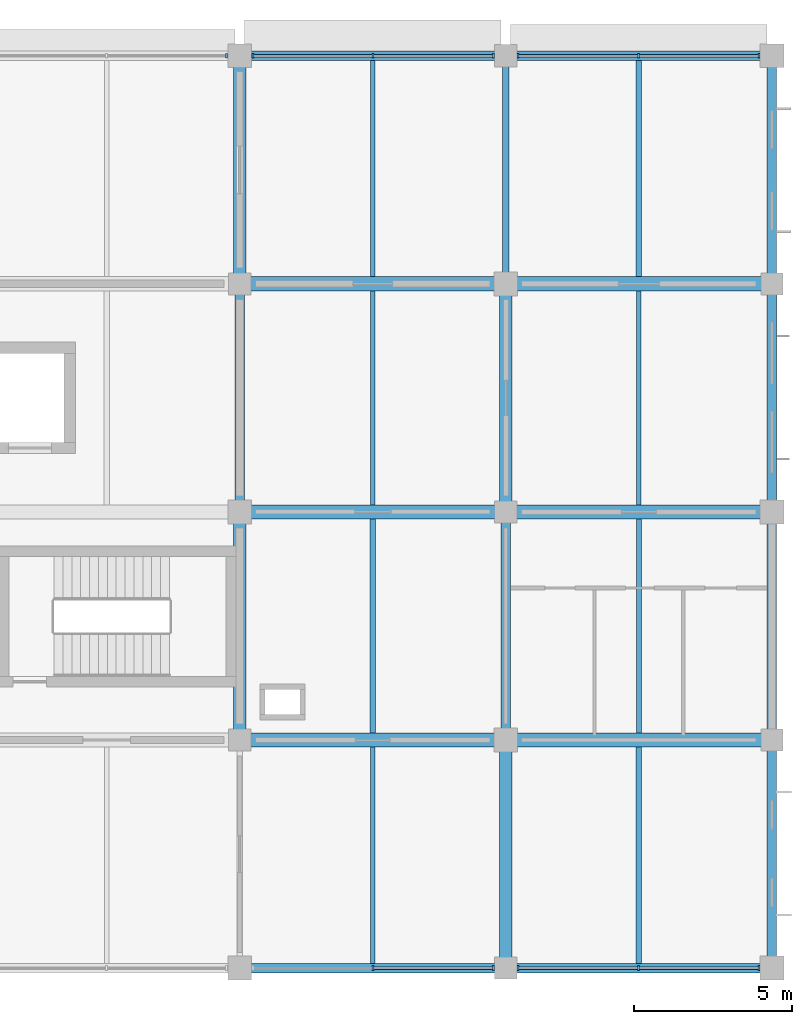
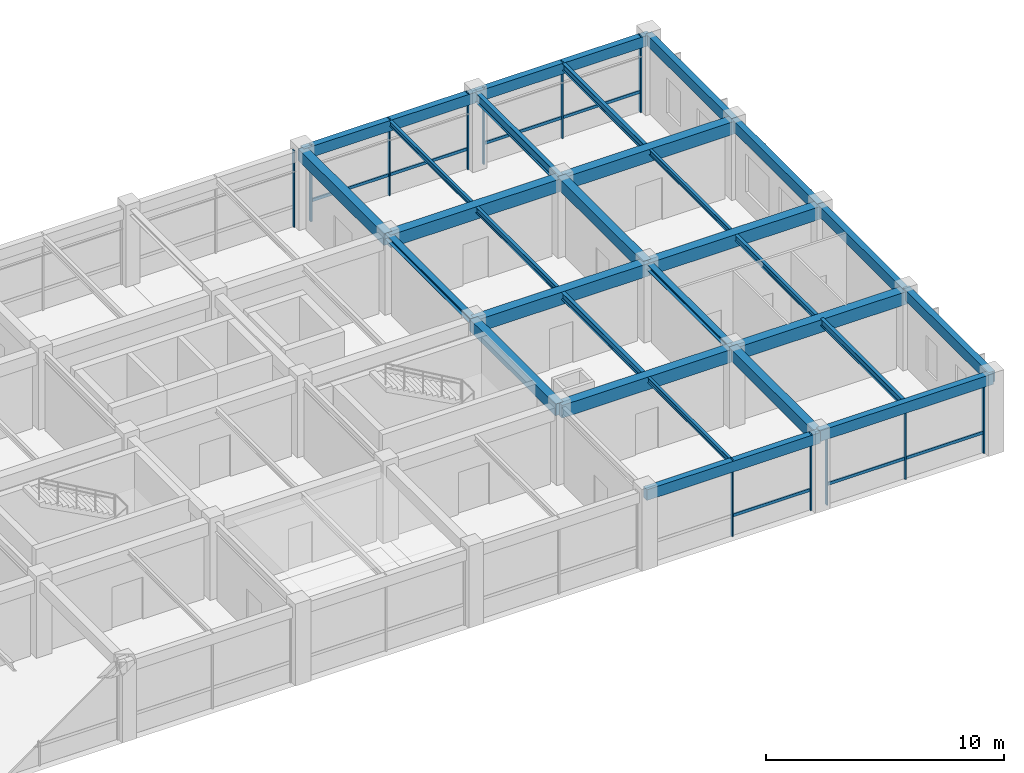
# One storey, part 6 of 13: 29 beams, 19 members, 5 elements without a shape of their own.
"""IFC4 building model written with IfcOpenShell, lengths in metres."""

from ifc_helpers import new_model, si_unit, derived_unit, direction, frame, origin, origin_2d, place, context, subcontext, project, spatial, rectangle, i_section, extrude, material, material_profile, profile_set, type_object, element, aggregate, save


model = new_model("IFC4")

# Units and contexts
model_context = context("Model", 3, precision=1e-05, world=origin(), true_north=direction((0.0, 1.0)))
body_context = subcontext(model_context, "Body", "Model", "MODEL_VIEW")
ifc_project = project(units=[si_unit("LENGTHUNIT", "METRE"), si_unit("AREAUNIT", "SQUARE_METRE"), si_unit("VOLUMEUNIT", "CUBIC_METRE"), si_unit("PLANEANGLEUNIT", "RADIAN"), si_unit("MASSUNIT", "GRAM", prefix="KILO"), derived_unit("THERMALTRANSMITTANCEUNIT", [(si_unit("MASSUNIT", "GRAM", prefix="KILO"), 1), (si_unit("TIMEUNIT", "SECOND"), -3), (si_unit("THERMODYNAMICTEMPERATUREUNIT", "KELVIN"), -1)])], contexts=[model_context])

# Site, building, storey
site_placement = place(None, origin())
site = spatial("IfcSite", under=ifc_project, at=site_placement, CompositionType="ELEMENT")
building_placement = place(site_placement, origin())
building = spatial("IfcBuilding", under=site, at=building_placement, Name="Veldstrom Oceanarium and Marine Research Institute", CompositionType="ELEMENT")
storey_placement = place(building_placement, frame((0.0, 0.0, 31.199951171875)))
storey = spatial("IfcBuildingStorey", under=building, at=storey_placement, Name="L06", CompositionType="ELEMENT", Elevation=31.199951171875)

# Curtain wall, member
ifc_material_1 = material(Name="Anodised Aluminium Framing", Category="aluminium")
curtain_wall_type = type_object("IfcCurtainWallType", Name="ARC-CW-CW04", PredefinedType="USERDEFINED", material=ifc_material_1)
curtain_wall_1_placement = place(storey_placement, origin())
curtain_wall_1 = element("IfcCurtainWall", 1, at=curtain_wall_1_placement, inside=storey, type_object=curtain_wall_type, Name="Curtain Wall CW04 CW-L06-107", ObjectType="Curtain wall", PredefinedType="USERDEFINED")
ifc_material_2 = material(Name="Anodised Aluminium Framing", Category="aluminium")
ifc_material_profile_1 = material_profile(ifc_material_2, rectangle(XDim=0.06494140625, YDim=0.14990234375, at=origin_2d()), Name="ALU-MUL-65x150")
ifc_profile_set_1 = profile_set([ifc_material_profile_1], Name="Anodised Aluminium Framing")
member_type_1 = type_object("IfcMemberType", Name="ARC-MUL-ML2", PredefinedType="MULLION", material=ifc_profile_set_1)
member_1_placement = place(storey_placement, frame((100.385009765625, 72.0, 0.0), z_axis=(0.0, 0.0, 1.0), x_axis=(1.0, 0.0, 0.0)))
member_1 = element("IfcMember", 2, at=member_1_placement, type_object=member_type_1, Name="Curtain Wall Mullion CW-L06-107-MUL-3", PredefinedType="MULLION", context=body_context, shape_type="SweptSolid", body=[
    extrude(rectangle(XDim=0.06494140625, YDim=0.14990234375, at=origin_2d()), origin(), (0.0, 0.0, 1.0), 3.920166015625),
])
aggregate(curtain_wall_1, [member_1])

# Curtain wall, members
curtain_wall_2_placement = place(storey_placement, origin())
curtain_wall_2 = element("IfcCurtainWall", 3, at=curtain_wall_2_placement, inside=storey, type_object=curtain_wall_type, Name="Curtain Wall CW04 CW-L06-108", ObjectType="Curtain wall", PredefinedType="USERDEFINED")
member_2_placement = place(storey_placement, frame((105.012451171875, 43.199951171875, 0.0), z_axis=(0.0, 0.0, 1.0), x_axis=(1.0, 0.0, 0.0)))
member_2 = element("IfcMember", 4, at=member_2_placement, type_object=member_type_1, Name="Curtain Wall Mullion CW-L06-108-MUL-2", PredefinedType="MULLION", context=body_context, shape_type="SweptSolid", body=[
    extrude(rectangle(XDim=0.06494140625, YDim=0.14990234375, at=origin_2d()), origin(), (0.0, 0.0, 1.0), 3.920166015625),
])
member_3_placement = place(storey_placement, frame((108.81005859375, 43.199951171875, 0.0), z_axis=(0.0, 0.0, 1.0), x_axis=(1.0, 0.0, 0.0)))
member_3 = element("IfcMember", 5, at=member_3_placement, type_object=member_type_1, Name="Curtain Wall Mullion CW-L06-108-MUL-3", PredefinedType="MULLION", context=body_context, shape_type="SweptSolid", body=[
    extrude(rectangle(XDim=0.06494140625, YDim=0.14990234375, at=origin_2d()), origin(), (0.0, 0.0, 1.0), 3.920166015625),
])

curtain_wall_3_placement = place(storey_placement, origin())
curtain_wall_3 = element("IfcCurtainWall", 6, at=curtain_wall_3_placement, inside=storey, type_object=curtain_wall_type, Name="Curtain Wall CW04 CW-L06-109", ObjectType="Curtain wall", PredefinedType="USERDEFINED")
member_4_placement = place(storey_placement, frame((101.215087890625, 72.0, 0.0), z_axis=(0.0, 0.0, 1.0), x_axis=(1.0, 0.0, 0.0)))
member_4 = element("IfcMember", 7, at=member_4_placement, type_object=member_type_1, Name="Curtain Wall Mullion CW-L06-109-MUL-1", PredefinedType="MULLION", context=body_context, shape_type="SweptSolid", body=[
    extrude(rectangle(XDim=0.06494140625, YDim=0.14990234375, at=origin_2d()), origin(), (0.0, 0.0, 1.0), 3.920166015625),
])
member_5_placement = place(storey_placement, frame((105.012451171875, 72.0, 0.0), z_axis=(0.0, 0.0, 1.0), x_axis=(1.0, 0.0, 0.0)))
member_5 = element("IfcMember", 8, at=member_5_placement, type_object=member_type_1, Name="Curtain Wall Mullion CW-L06-109-MUL-2", PredefinedType="MULLION", context=body_context, shape_type="SweptSolid", body=[
    extrude(rectangle(XDim=0.06494140625, YDim=0.14990234375, at=origin_2d()), origin(), (0.0, 0.0, 1.0), 3.920166015625),
])
member_6_placement = place(storey_placement, frame((108.81005859375, 72.0, 0.0), z_axis=(0.0, 0.0, 1.0), x_axis=(1.0, 0.0, 0.0)))
member_6 = element("IfcMember", 9, at=member_6_placement, type_object=member_type_1, Name="Curtain Wall Mullion CW-L06-109-MUL-3", PredefinedType="MULLION", context=body_context, shape_type="SweptSolid", body=[
    extrude(rectangle(XDim=0.06494140625, YDim=0.14990234375, at=origin_2d()), origin(), (0.0, 0.0, 1.0), 3.920166015625),
])

curtain_wall_4_placement = place(storey_placement, origin())
curtain_wall_4 = element("IfcCurtainWall", 10, at=curtain_wall_4_placement, inside=storey, type_object=curtain_wall_type, Name="Curtain Wall CW04 CW-L06-110", ObjectType="Curtain wall", PredefinedType="USERDEFINED")
member_7_placement = place(storey_placement, frame((109.590087890625, 43.199951171875, 0.0), z_axis=(0.0, 0.0, 1.0), x_axis=(1.0, 0.0, 0.0)))
member_7 = element("IfcMember", 11, at=member_7_placement, type_object=member_type_1, Name="Curtain Wall Mullion CW-L06-110-MUL-1", PredefinedType="MULLION", context=body_context, shape_type="SweptSolid", body=[
    extrude(rectangle(XDim=0.06494140625, YDim=0.14990234375, at=origin_2d()), origin(), (0.0, 0.0, 1.0), 3.920166015625),
])
member_8_placement = place(storey_placement, frame((113.387451171875, 43.199951171875, 0.0), z_axis=(0.0, 0.0, 1.0), x_axis=(1.0, 0.0, 0.0)))
member_8 = element("IfcMember", 12, at=member_8_placement, type_object=member_type_1, Name="Curtain Wall Mullion CW-L06-110-MUL-2", PredefinedType="MULLION", context=body_context, shape_type="SweptSolid", body=[
    extrude(rectangle(XDim=0.06494140625, YDim=0.14990234375, at=origin_2d()), origin(), (0.0, 0.0, 1.0), 3.920166015625),
])
member_9_placement = place(storey_placement, frame((117.18505859375, 43.199951171875, 0.0), z_axis=(0.0, 0.0, 1.0), x_axis=(1.0, 0.0, 0.0)))
member_9 = element("IfcMember", 13, at=member_9_placement, type_object=member_type_1, Name="Curtain Wall Mullion CW-L06-110-MUL-3", PredefinedType="MULLION", context=body_context, shape_type="SweptSolid", body=[
    extrude(rectangle(XDim=0.06494140625, YDim=0.14990234375, at=origin_2d()), origin(), (0.0, 0.0, 1.0), 3.920166015625),
])

curtain_wall_5_placement = place(storey_placement, origin())
curtain_wall_5 = element("IfcCurtainWall", 14, at=curtain_wall_5_placement, inside=storey, type_object=curtain_wall_type, Name="Curtain Wall CW04 CW-L06-111", ObjectType="Curtain wall", PredefinedType="USERDEFINED")
member_10_placement = place(storey_placement, frame((109.590087890625, 72.0, 0.0), z_axis=(0.0, 0.0, 1.0), x_axis=(1.0, 0.0, 0.0)))
member_10 = element("IfcMember", 15, at=member_10_placement, type_object=member_type_1, Name="Curtain Wall Mullion CW-L06-111-MUL-1", PredefinedType="MULLION", context=body_context, shape_type="SweptSolid", body=[
    extrude(rectangle(XDim=0.06494140625, YDim=0.14990234375, at=origin_2d()), origin(), (0.0, 0.0, 1.0), 3.920166015625),
])
member_11_placement = place(storey_placement, frame((113.387451171875, 72.0, 0.0), z_axis=(0.0, 0.0, 1.0), x_axis=(1.0, 0.0, 0.0)))
member_11 = element("IfcMember", 16, at=member_11_placement, type_object=member_type_1, Name="Curtain Wall Mullion CW-L06-111-MUL-2", PredefinedType="MULLION", context=body_context, shape_type="SweptSolid", body=[
    extrude(rectangle(XDim=0.06494140625, YDim=0.14990234375, at=origin_2d()), origin(), (0.0, 0.0, 1.0), 3.920166015625),
])
member_12_placement = place(storey_placement, frame((117.18505859375, 72.0, 0.0), z_axis=(0.0, 0.0, 1.0), x_axis=(1.0, 0.0, 0.0)))
member_12 = element("IfcMember", 17, at=member_12_placement, type_object=member_type_1, Name="Curtain Wall Mullion CW-L06-111-MUL-3", PredefinedType="MULLION", context=body_context, shape_type="SweptSolid", body=[
    extrude(rectangle(XDim=0.06494140625, YDim=0.14990234375, at=origin_2d()), origin(), (0.0, 0.0, 1.0), 3.920166015625),
])

# Member
ifc_material_3 = material(Name="Anodised Aluminium Framing", Category="aluminium")
ifc_material_profile_2 = material_profile(ifc_material_3, rectangle(XDim=0.074951171875, YDim=0.14990234375, at=origin_2d()), Name="ALU-TRN-75x150")
ifc_profile_set_2 = profile_set([ifc_material_profile_2], Name="Anodised Aluminium Framing")
member_type_2 = type_object("IfcMemberType", Name="ARC-TRN-TR1", PredefinedType="USERDEFINED", material=ifc_profile_set_2)
member_13_placement = place(storey_placement, frame((105.052490234375, 43.199951171875, 1.050048828125), z_axis=(1.0, 0.0, 0.0), x_axis=(0.0, 1.0, 0.0)))
member_13 = element("IfcMember", 18, at=member_13_placement, type_object=member_type_2, Name="Curtain Wall Transom CW-L06-108-TRN-2", ObjectType="Transom", PredefinedType="USERDEFINED", context=body_context, shape_type="SweptSolid", body=[
    extrude(rectangle(XDim=0.074951171875, YDim=0.14990234375, at=origin_2d()), origin(), (0.0, 0.0, 1.0), 3.717529296875),
])

aggregate(curtain_wall_2, [member_2, member_3, member_13])

member_14_placement = place(storey_placement, frame((101.2548828125, 72.0, 1.050048828125), z_axis=(1.0, 0.0, 0.0), x_axis=(0.0, 1.0, 0.0)))
member_14 = element("IfcMember", 19, at=member_14_placement, type_object=member_type_2, Name="Curtain Wall Transom CW-L06-109-TRN-1", ObjectType="Transom", PredefinedType="USERDEFINED", context=body_context, shape_type="SweptSolid", body=[
    extrude(rectangle(XDim=0.074951171875, YDim=0.14990234375, at=origin_2d()), origin(), (0.0, 0.0, 1.0), 3.717529296875),
])

member_15_placement = place(storey_placement, frame((105.052490234375, 72.0, 1.050048828125), z_axis=(1.0, 0.0, 0.0), x_axis=(0.0, 1.0, 0.0)))
member_15 = element("IfcMember", 20, at=member_15_placement, type_object=member_type_2, Name="Curtain Wall Transom CW-L06-109-TRN-2", ObjectType="Transom", PredefinedType="USERDEFINED", context=body_context, shape_type="SweptSolid", body=[
    extrude(rectangle(XDim=0.074951171875, YDim=0.14990234375, at=origin_2d()), origin(), (0.0, 0.0, 1.0), 3.717529296875),
])

aggregate(curtain_wall_3, [member_4, member_5, member_6, member_14, member_15])

member_16_placement = place(storey_placement, frame((109.6298828125, 43.199951171875, 1.050048828125), z_axis=(1.0, 0.0, 0.0), x_axis=(0.0, 1.0, 0.0)))
member_16 = element("IfcMember", 21, at=member_16_placement, type_object=member_type_2, Name="Curtain Wall Transom CW-L06-110-TRN-1", ObjectType="Transom", PredefinedType="USERDEFINED", context=body_context, shape_type="SweptSolid", body=[
    extrude(rectangle(XDim=0.074951171875, YDim=0.14990234375, at=origin_2d()), origin(), (0.0, 0.0, 1.0), 3.717529296875),
])

member_17_placement = place(storey_placement, frame((113.427490234375, 43.199951171875, 1.050048828125), z_axis=(1.0, 0.0, 0.0), x_axis=(0.0, 1.0, 0.0)))
member_17 = element("IfcMember", 22, at=member_17_placement, type_object=member_type_2, Name="Curtain Wall Transom CW-L06-110-TRN-2", ObjectType="Transom", PredefinedType="USERDEFINED", context=body_context, shape_type="SweptSolid", body=[
    extrude(rectangle(XDim=0.074951171875, YDim=0.14990234375, at=origin_2d()), origin(), (0.0, 0.0, 1.0), 3.717529296875),
])

aggregate(curtain_wall_4, [member_7, member_8, member_9, member_16, member_17])

member_18_placement = place(storey_placement, frame((109.6298828125, 72.0, 1.050048828125), z_axis=(1.0, 0.0, 0.0), x_axis=(0.0, 1.0, 0.0)))
member_18 = element("IfcMember", 23, at=member_18_placement, type_object=member_type_2, Name="Curtain Wall Transom CW-L06-111-TRN-1", ObjectType="Transom", PredefinedType="USERDEFINED", context=body_context, shape_type="SweptSolid", body=[
    extrude(rectangle(XDim=0.074951171875, YDim=0.14990234375, at=origin_2d()), origin(), (0.0, 0.0, 1.0), 3.717529296875),
])

member_19_placement = place(storey_placement, frame((113.427490234375, 72.0, 1.050048828125), z_axis=(1.0, 0.0, 0.0), x_axis=(0.0, 1.0, 0.0)))
member_19 = element("IfcMember", 24, at=member_19_placement, type_object=member_type_2, Name="Curtain Wall Transom CW-L06-111-TRN-2", ObjectType="Transom", PredefinedType="USERDEFINED", context=body_context, shape_type="SweptSolid", body=[
    extrude(rectangle(XDim=0.074951171875, YDim=0.14990234375, at=origin_2d()), origin(), (0.0, 0.0, 1.0), 3.717529296875),
])

aggregate(curtain_wall_5, [member_10, member_11, member_12, member_18, member_19])

# Beams
ifc_material_4 = material(Name="Concrete C40/50", Category="concrete")
ifc_material_profile_3 = material_profile(ifc_material_4, rectangle(XDim=0.449951171875, YDim=0.64990234375, at=origin_2d()), Name="RC-BM-450x650")
ifc_profile_set_3 = profile_set([ifc_material_profile_3], Name="Concrete C40/50")
beam_type_1 = type_object("IfcBeamType", Name="STR-BM-B05", PredefinedType="BEAM", material=ifc_profile_set_3)
for number, where, z_axis, x_axis, name in (
    (25, (100.800048828125, 50.39990234375, 3.590087890625), (1.0, 0.0, 0.0), (0.0, 1.0, 0.0), "Primary Beam B05 L06-2274"),
    (26, (100.800048828125, 57.60009765625, 3.590087890625), (1.0, 0.0, 0.0), (0.0, 1.0, 0.0), "Primary Beam B05 L06-2275"),
    (27, (100.800048828125, 64.800048828125, 3.590087890625), (1.0, 0.0, 0.0), (0.0, 1.0, 0.0), "Primary Beam B05 L06-2276"),
):
    element("IfcBeam", number, at=place(storey_placement, frame(where, z_axis=z_axis, x_axis=x_axis)), inside=storey, type_object=beam_type_1, Name=name, PredefinedType="BEAM", context=body_context, shape_type="SweptSolid", body=[
        extrude(rectangle(XDim=0.449951171875, YDim=0.64990234375, at=origin_2d()), origin(), (0.0, 0.0, 1.0), 8.39990234375),
    ])
for number, where, z_axis, x_axis, name in (
    (28, (109.199951171875, 50.39990234375, 3.590087890625), (1.0, 0.0, 0.0), (0.0, 1.0, 0.0), "Primary Beam B05 L06-2279"),
    (29, (109.199951171875, 57.60009765625, 3.590087890625), (1.0, 0.0, 0.0), (0.0, 1.0, 0.0), "Primary Beam B05 L06-2280"),
    (30, (109.199951171875, 64.800048828125, 3.590087890625), (1.0, 0.0, 0.0), (0.0, 1.0, 0.0), "Primary Beam B05 L06-2281"),
):
    element("IfcBeam", number, at=place(storey_placement, frame(where, z_axis=z_axis, x_axis=x_axis)), inside=storey, type_object=beam_type_1, Name=name, PredefinedType="BEAM", context=body_context, shape_type="SweptSolid", body=[
        extrude(rectangle(XDim=0.449951171875, YDim=0.64990234375, at=origin_2d()), origin(), (0.0, 0.0, 1.0), 8.400146484375),
    ])
ifc_material_5 = material(Name="Concrete C40/50", Category="concrete")
ifc_material_profile_4 = material_profile(ifc_material_5, rectangle(XDim=0.39990234375, YDim=0.60009765625, at=origin_2d()), Name="RC-BM-400x600")
ifc_profile_set_4 = profile_set([ifc_material_profile_4], Name="Concrete C40/50")
beam_type_2 = type_object("IfcBeamType", Name="STR-BM-B06", PredefinedType="BEAM", material=ifc_profile_set_4)
beam_1_placement = place(storey_placement, frame((100.800048828125, 50.39990234375, 3.614990234375), z_axis=(0.0, 1.0, 0.0), x_axis=(-1.0, 0.0, 0.0)))
element("IfcBeam", 31, at=beam_1_placement, inside=storey, type_object=beam_type_2, Name="Primary Beam B06 L06-2300", PredefinedType="BEAM", context=body_context, shape_type="SweptSolid", body=[
    extrude(rectangle(XDim=0.39990234375, YDim=0.60009765625, at=origin_2d()), origin(), (0.0, 0.0, 1.0), 7.2001953125),
])
for number, where, z_axis, x_axis, name in (
    (32, (100.800048828125, 64.800048828125, 3.614990234375), (0.0, 1.0, 0.0), (-1.0, 0.0, 0.0), "Primary Beam B06 L06-2302"),
    (33, (109.199951171875, 43.199951171875, 3.614990234375), (0.0, 1.0, 0.0), (-1.0, 0.0, 0.0), "Primary Beam B06 L06-2303"),
    (34, (109.199951171875, 57.60009765625, 3.614990234375), (0.0, 1.0, 0.0), (-1.0, 0.0, 0.0), "Primary Beam B06 L06-2305"),
):
    element("IfcBeam", number, at=place(storey_placement, frame(where, z_axis=z_axis, x_axis=x_axis)), inside=storey, type_object=beam_type_2, Name=name, PredefinedType="BEAM", context=body_context, shape_type="SweptSolid", body=[
        extrude(rectangle(XDim=0.39990234375, YDim=0.60009765625, at=origin_2d()), origin(), (0.0, 0.0, 1.0), 7.199951171875),
    ])
ifc_material_6 = material(Name="Steel S355JR", Category="steel")
ifc_material_profile_5 = material_profile(ifc_material_6, i_section(OverallWidth=0.300048828125, OverallDepth=0.2900390625, WebThickness=0.008544921875, FlangeThickness=0.013916015625, FilletRadius=0.027099609375, at=origin_2d()), Name="HEA 300")
ifc_profile_set_5 = profile_set([ifc_material_profile_5], Name="Steel S355JR")
beam_type_3 = type_object("IfcBeamType", Name="STR-BM-SB10", PredefinedType="BEAM", material=ifc_profile_set_5)
beam_2_placement = place(storey_placement, frame((100.800048828125, 57.60009765625, 3.77001953125), z_axis=(0.0, 1.0, 0.0), x_axis=(-1.0, 0.0, 0.0)))
element("IfcBeam", 35, at=beam_2_placement, inside=storey, type_object=beam_type_3, Name="Steel Tie Beam SB10 L06-2301", PredefinedType="BEAM", context=body_context, shape_type="SweptSolid", body=[
    extrude(i_section(OverallWidth=0.300048828125, OverallDepth=0.2900390625, WebThickness=0.008544921875, FlangeThickness=0.013916015625, FilletRadius=0.027099609375, at=origin_2d()), origin(), (0.0, 0.0, 1.0), 7.199951171875),
])
beam_3_placement = place(storey_placement, frame((109.199951171875, 50.39990234375, 3.77001953125), z_axis=(0.0, 1.0, 0.0), x_axis=(-1.0, 0.0, 0.0)))
element("IfcBeam", 36, at=beam_3_placement, inside=storey, type_object=beam_type_3, Name="Steel Tie Beam SB10 L06-2304", PredefinedType="BEAM", context=body_context, shape_type="SweptSolid", body=[
    extrude(i_section(OverallWidth=0.300048828125, OverallDepth=0.2900390625, WebThickness=0.008544921875, FlangeThickness=0.013916015625, FilletRadius=0.027099609375, at=origin_2d()), origin(), (0.0, 0.0, 1.0), 7.2001953125),
])
ifc_material_7 = material(Name="Steel S355JR", Category="steel")
ifc_material_profile_6 = material_profile(ifc_material_7, i_section(OverallWidth=0.199951171875, OverallDepth=0.5, WebThickness=0.01025390625, FlangeThickness=0.01611328125, FilletRadius=0.02099609375, at=origin_2d()), Name="IPE 500")
ifc_profile_set_6 = profile_set([ifc_material_profile_6], Name="Steel S355JR")
beam_type_4 = type_object("IfcBeamType", Name="STR-BM-SB6", PredefinedType="BEAM", material=ifc_profile_set_6)
beam_4_placement = place(storey_placement, frame((109.199951171875, 64.800048828125, 3.6650390625), z_axis=(0.0, 1.0, 0.0), x_axis=(-1.0, 0.0, 0.0)))
element("IfcBeam", 37, at=beam_4_placement, inside=storey, type_object=beam_type_4, Name="Steel Tie Beam SB6 L06-2306", PredefinedType="BEAM", context=body_context, shape_type="SweptSolid", body=[
    extrude(i_section(OverallWidth=0.199951171875, OverallDepth=0.5, WebThickness=0.01025390625, FlangeThickness=0.01611328125, FilletRadius=0.02099609375, at=origin_2d()), origin(), (0.0, 0.0, 1.0), 7.199951171875),
])
ifc_material_8 = material(Name="Steel S355JR", Category="steel")
ifc_material_profile_7 = material_profile(ifc_material_8, i_section(OverallWidth=0.169921875, OverallDepth=0.360107421875, WebThickness=0.008056640625, FlangeThickness=0.0126953125, FilletRadius=0.01806640625, at=origin_2d()), Name="IPE 360")
ifc_profile_set_7 = profile_set([ifc_material_profile_7], Name="Steel S355JR")
beam_type_5 = type_object("IfcBeamType", Name="STR-JST-SJ1", PredefinedType="JOIST", material=ifc_profile_set_7)
beam_5_placement = place(storey_placement, frame((105.0, 50.625, 3.735107421875), z_axis=(0.0, 1.0, 0.0), x_axis=(-1.0, 0.0, 0.0)))
element("IfcBeam", 38, at=beam_5_placement, inside=storey, type_object=beam_type_5, Name="Secondary Joist SJ1 L06-2325", PredefinedType="JOIST", context=body_context, shape_type="SweptSolid", body=[
    extrude(i_section(OverallWidth=0.169921875, OverallDepth=0.360107421875, WebThickness=0.008056640625, FlangeThickness=0.0126953125, FilletRadius=0.01806640625, at=origin_2d()), origin(), (0.0, 0.0, 1.0), 6.75),
])
beam_6_placement = place(storey_placement, frame((113.39990234375, 43.35009765625, 3.81494140625), z_axis=(0.0, 1.0, 0.0), x_axis=(-1.0, 0.0, 0.0)))
element("IfcBeam", 39, at=beam_6_placement, inside=storey, type_object=beam_type_5, Name="Secondary Joist SJ1 L06-2328", PredefinedType="JOIST", context=body_context, shape_type="SweptSolid", body=[
    extrude(i_section(OverallWidth=0.169921875, OverallDepth=0.360107421875, WebThickness=0.008056640625, FlangeThickness=0.0126953125, FilletRadius=0.01806640625, at=origin_2d()), origin(), (0.0, 0.0, 1.0), 6.824951171875),
])
beam_7_placement = place(storey_placement, frame((113.39990234375, 65.02490234375, 3.735107421875), z_axis=(0.0, 1.0, 0.0), x_axis=(-1.0, 0.0, 0.0)))
element("IfcBeam", 40, at=beam_7_placement, inside=storey, type_object=beam_type_5, Name="Secondary Joist SJ1 L06-2331", PredefinedType="JOIST", context=body_context, shape_type="SweptSolid", body=[
    extrude(i_section(OverallWidth=0.169921875, OverallDepth=0.360107421875, WebThickness=0.008056640625, FlangeThickness=0.0126953125, FilletRadius=0.01806640625, at=origin_2d()), origin(), (0.0, 0.0, 1.0), 6.8251953125),
])
ifc_material_9 = material(Name="Steel S355JR", Category="steel")
ifc_material_profile_8 = material_profile(ifc_material_9, i_section(OverallWidth=0.14990234375, OverallDepth=0.300048828125, WebThickness=0.007080078125, FlangeThickness=0.0107421875, FilletRadius=0.014892578125, at=origin_2d()), Name="IPE 300")
ifc_profile_set_8 = profile_set([ifc_material_profile_8], Name="Steel S355JR")
beam_type_6 = type_object("IfcBeamType", Name="STR-JST-SJ2", PredefinedType="JOIST", material=ifc_profile_set_8)
for number, where, z_axis, x_axis, name in (
    (41, (105.0, 57.824951171875, 3.76513671875), (0.0, 1.0, 0.0), (-1.0, 0.0, 0.0), "Secondary Joist SJ2 L06-2326"),
    (42, (113.39990234375, 50.625, 3.76513671875), (0.0, 1.0, 0.0), (-1.0, 0.0, 0.0), "Secondary Joist SJ2 L06-2329"),
):
    element("IfcBeam", number, at=place(storey_placement, frame(where, z_axis=z_axis, x_axis=x_axis)), inside=storey, type_object=beam_type_6, Name=name, PredefinedType="JOIST", context=body_context, shape_type="SweptSolid", body=[
        extrude(i_section(OverallWidth=0.14990234375, OverallDepth=0.300048828125, WebThickness=0.007080078125, FlangeThickness=0.0107421875, FilletRadius=0.014892578125, at=origin_2d()), origin(), (0.0, 0.0, 1.0), 6.75),
    ])
ifc_material_10 = material(Name="Steel S355JR", Category="steel")
ifc_material_profile_9 = material_profile(ifc_material_10, i_section(OverallWidth=0.135009765625, OverallDepth=0.27001953125, WebThickness=0.006591796875, FlangeThickness=0.01025390625, FilletRadius=0.014892578125, at=origin_2d()), Name="IPE 270")
ifc_profile_set_9 = profile_set([ifc_material_profile_9], Name="Steel S355JR")
beam_type_7 = type_object("IfcBeamType", Name="STR-JST-SJ3", PredefinedType="JOIST", material=ifc_profile_set_9)
beam_8_placement = place(storey_placement, frame((105.0, 43.35009765625, 3.780029296875), z_axis=(0.0, 1.0, 0.0), x_axis=(-1.0, 0.0, 0.0)))
element("IfcBeam", 43, at=beam_8_placement, inside=storey, type_object=beam_type_7, Name="Secondary Joist SJ3 L06-2324", PredefinedType="JOIST", context=body_context, shape_type="SweptSolid", body=[
    extrude(i_section(OverallWidth=0.135009765625, OverallDepth=0.27001953125, WebThickness=0.006591796875, FlangeThickness=0.01025390625, FilletRadius=0.014892578125, at=origin_2d()), origin(), (0.0, 0.0, 1.0), 6.824951171875),
])
beam_9_placement = place(storey_placement, frame((105.0, 65.02490234375, 3.780029296875), z_axis=(0.0, 1.0, 0.0), x_axis=(-1.0, 0.0, 0.0)))
element("IfcBeam", 44, at=beam_9_placement, inside=storey, type_object=beam_type_7, Name="Secondary Joist SJ3 L06-2327", PredefinedType="JOIST", context=body_context, shape_type="SweptSolid", body=[
    extrude(i_section(OverallWidth=0.135009765625, OverallDepth=0.27001953125, WebThickness=0.006591796875, FlangeThickness=0.01025390625, FilletRadius=0.014892578125, at=origin_2d()), origin(), (0.0, 0.0, 1.0), 6.8251953125),
])
beam_10_placement = place(storey_placement, frame((113.39990234375, 57.824951171875, 3.780029296875), z_axis=(0.0, 1.0, 0.0), x_axis=(-1.0, 0.0, 0.0)))
element("IfcBeam", 45, at=beam_10_placement, inside=storey, type_object=beam_type_7, Name="Secondary Joist SJ3 L06-2330", PredefinedType="JOIST", context=body_context, shape_type="SweptSolid", body=[
    extrude(i_section(OverallWidth=0.135009765625, OverallDepth=0.27001953125, WebThickness=0.006591796875, FlangeThickness=0.01025390625, FilletRadius=0.014892578125, at=origin_2d()), origin(), (0.0, 0.0, 1.0), 6.75),
])
ifc_material_11 = material(Name="Concrete C40/50", Category="concrete")
ifc_material_profile_10 = material_profile(ifc_material_11, rectangle(XDim=0.300048828125, YDim=0.550048828125, at=origin_2d()), Name="RC-SPN-300x550")
ifc_profile_set_10 = profile_set([ifc_material_profile_10], Name="Concrete C40/50")
beam_type_8 = type_object("IfcBeamType", Name="STR-SPN-SP2", PredefinedType="SPANDREL", material=ifc_profile_set_10)
for number, where, z_axis, x_axis, name in (
    (46, (100.800048828125, 43.199951171875, 3.64013671875), (1.0, 0.0, 0.0), (0.0, 1.0, 0.0), "Perimeter Spandrel SPB2 L06-2273"),
    (47, (100.800048828125, 72.0, 3.64013671875), (1.0, 0.0, 0.0), (0.0, 1.0, 0.0), "Perimeter Spandrel SPB2 L06-2277"),
):
    element("IfcBeam", number, at=place(storey_placement, frame(where, z_axis=z_axis, x_axis=x_axis)), inside=storey, type_object=beam_type_8, Name=name, PredefinedType="SPANDREL", context=body_context, shape_type="SweptSolid", body=[
        extrude(rectangle(XDim=0.300048828125, YDim=0.550048828125, at=origin_2d()), origin(), (0.0, 0.0, 1.0), 8.39990234375),
    ])
for number, where, z_axis, x_axis, name in (
    (48, (109.199951171875, 43.199951171875, 3.719970703125), (1.0, 0.0, 0.0), (0.0, 1.0, 0.0), "Perimeter Spandrel SPB2 L06-2278"),
    (49, (109.199951171875, 72.0, 3.64013671875), (1.0, 0.0, 0.0), (0.0, 1.0, 0.0), "Perimeter Spandrel SPB2 L06-2282"),
):
    element("IfcBeam", number, at=place(storey_placement, frame(where, z_axis=z_axis, x_axis=x_axis)), inside=storey, type_object=beam_type_8, Name=name, PredefinedType="SPANDREL", context=body_context, shape_type="SweptSolid", body=[
        extrude(rectangle(XDim=0.300048828125, YDim=0.550048828125, at=origin_2d()), origin(), (0.0, 0.0, 1.0), 8.400146484375),
    ])
beam_11_placement = place(storey_placement, frame((117.60009765625, 43.199951171875, 3.719970703125), z_axis=(0.0, 1.0, 0.0), x_axis=(-1.0, 0.0, 0.0)))
element("IfcBeam", 50, at=beam_11_placement, inside=storey, type_object=beam_type_8, Name="Perimeter Spandrel SPB2 L06-2307", PredefinedType="SPANDREL", context=body_context, shape_type="SweptSolid", body=[
    extrude(rectangle(XDim=0.300048828125, YDim=0.550048828125, at=origin_2d()), origin(), (0.0, 0.0, 1.0), 7.199951171875),
])
beam_12_placement = place(storey_placement, frame((117.60009765625, 50.39990234375, 3.64013671875), z_axis=(0.0, 1.0, 0.0), x_axis=(-1.0, 0.0, 0.0)))
element("IfcBeam", 51, at=beam_12_placement, inside=storey, type_object=beam_type_8, Name="Perimeter Spandrel SPB2 L06-2308", PredefinedType="SPANDREL", context=body_context, shape_type="SweptSolid", body=[
    extrude(rectangle(XDim=0.300048828125, YDim=0.550048828125, at=origin_2d()), origin(), (0.0, 0.0, 1.0), 7.2001953125),
])
for number, where, z_axis, x_axis, name in (
    (52, (117.60009765625, 57.60009765625, 3.64013671875), (0.0, 1.0, 0.0), (-1.0, 0.0, 0.0), "Perimeter Spandrel SPB2 L06-2309"),
    (53, (117.60009765625, 64.800048828125, 3.64013671875), (0.0, 1.0, 0.0), (-1.0, 0.0, 0.0), "Perimeter Spandrel SPB2 L06-2310"),
):
    element("IfcBeam", number, at=place(storey_placement, frame(where, z_axis=z_axis, x_axis=x_axis)), inside=storey, type_object=beam_type_8, Name=name, PredefinedType="SPANDREL", context=body_context, shape_type="SweptSolid", body=[
        extrude(rectangle(XDim=0.300048828125, YDim=0.550048828125, at=origin_2d()), origin(), (0.0, 0.0, 1.0), 7.199951171875),
    ])

save(model, "model.ifc")
